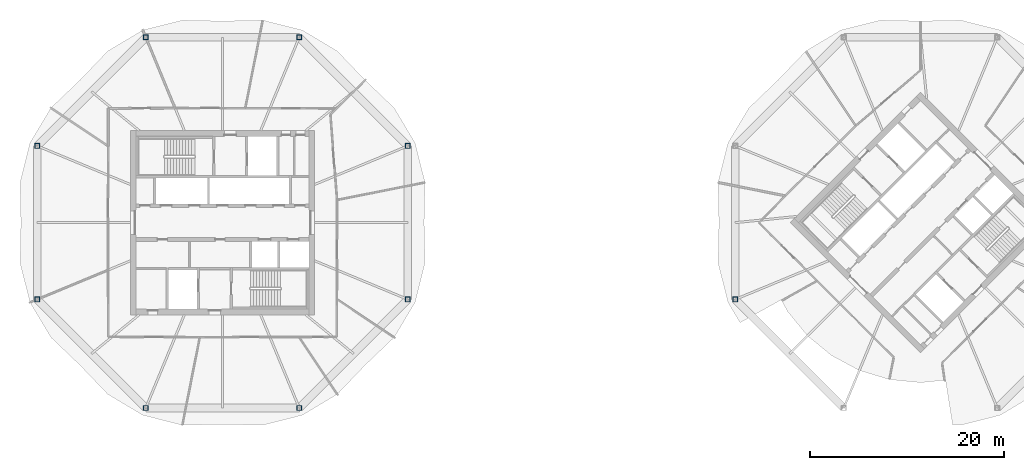
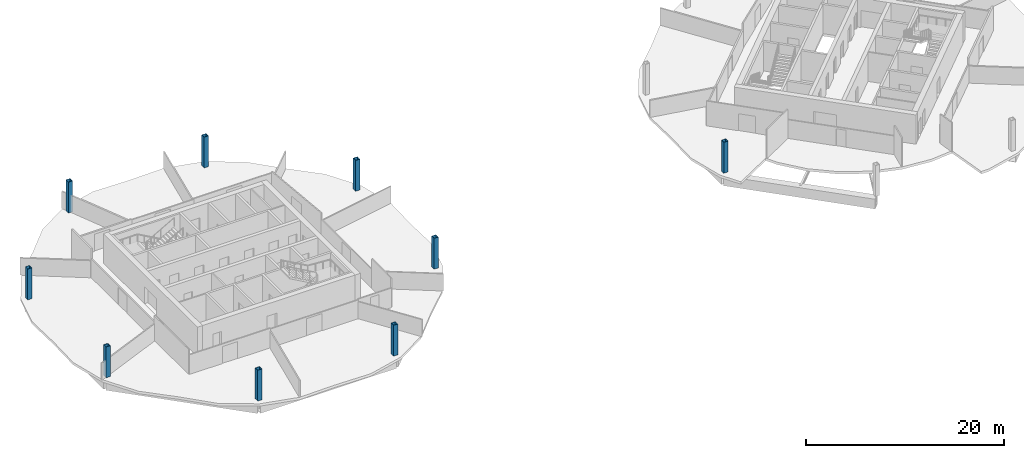
# One storey, part 1 of 10: 9 columns.
"""IFC4 building model written with IfcOpenShell, lengths in metres."""

from ifc_helpers import new_model, si_unit, direction, frame, origin, origin_2d, place, context, subcontext, project, spatial, hollow_rectangle, extrude, material, material_profile, profile_set, type_object, element, save


model = new_model("IFC4")

# Units and contexts
model_context = context("Model", 3, precision=1e-05, world=origin(), true_north=direction((0.0, 1.0)))
body_context = subcontext(model_context, "Body", "Model", "MODEL_VIEW")
ifc_project = project(units=[si_unit("LENGTHUNIT", "METRE"), si_unit("AREAUNIT", "SQUARE_METRE"), si_unit("VOLUMEUNIT", "CUBIC_METRE"), si_unit("PLANEANGLEUNIT", "RADIAN"), si_unit("MASSUNIT", "GRAM", prefix="KILO")], contexts=[model_context])

# Site, building, storey
site_placement = place(None, origin())
site = spatial("IfcSite", under=ifc_project, at=site_placement, CompositionType="ELEMENT")
building_placement = place(site_placement, origin())
building = spatial("IfcBuilding", under=site, at=building_placement, Name="Ogive Gate Towers", CompositionType="ELEMENT")
storey_placement = place(building_placement, frame((0.0, 0.0, 212.39990234375)))
storey = spatial("IfcBuildingStorey", under=building, at=storey_placement, Name="L51", CompositionType="ELEMENT", Elevation=212.39990234375)

# Columns
ifc_material = material(Name="Steel SM460", Category="steel")
ifc_material_profile = material_profile(ifc_material, hollow_rectangle(XDim=0.5, YDim=0.5, WallThickness=0.030029296875, at=origin_2d()), Name="BX 500x500x30")
ifc_profile_set = profile_set([ifc_material_profile], Name="Steel SM460")
column_type = type_object("IfcColumnType", Name="Perimeter post BX 500x500x30", PredefinedType="COLUMN", material=ifc_profile_set)
for number, where, z_axis, x_axis, name in (
    (1, (-16.885009765625, 7.917724609375, 0.0), (0.0, 0.0, 1.0), (1.0, 0.0, 0.0), "T1/L51/SCL001"),
    (2, (-28.082275390625, 19.114990234375, 0.0), (0.0, 0.0, 1.0), (1.0, 0.0, 0.0), "T1/L51/SCL002"),
    (3, (-43.917724609375, 19.114990234375, 0.0), (0.0, 0.0, 1.0), (1.0, 0.0, 0.0), "T1/L51/SCL003"),
    (4, (-55.114990234375, 7.917724609375, 0.0), (0.0, 0.0, 1.0), (1.0, 0.0, 0.0), "T1/L51/SCL004"),
    (5, (-55.114990234375, -7.917724609375, 0.0), (0.0, 0.0, 1.0), (1.0, 0.0, 0.0), "T1/L51/SCL005"),
    (6, (-43.917724609375, -19.114990234375, 0.0), (0.0, 0.0, 1.0), (1.0, 0.0, 0.0), "T1/L51/SCL006"),
    (7, (-28.082275390625, -19.114990234375, 0.0), (0.0, 0.0, 1.0), (1.0, 0.0, 0.0), "T1/L51/SCL007"),
    (8, (-16.885009765625, -7.917724609375, 0.0), (0.0, 0.0, 1.0), (1.0, 0.0, 0.0), "T1/L51/SCL008"),
    (9, (16.885009765625, -7.917724609375, 0.0), (0.0, 0.0, 1.0), (1.0, 0.0, 0.0), "T2/L51/SCL005"),
):
    element("IfcColumn", number, at=place(storey_placement, frame(where, z_axis=z_axis, x_axis=x_axis)), inside=storey, type_object=column_type, Name=name, PredefinedType="COLUMN", context=body_context, shape_type="SweptSolid", body=[
        extrude(hollow_rectangle(XDim=0.5, YDim=0.5, WallThickness=0.030029296875, at=origin_2d()), origin(), (0.0, 0.0, 1.0), 3.800048828125),
    ])

save(model, "model.ifc")
